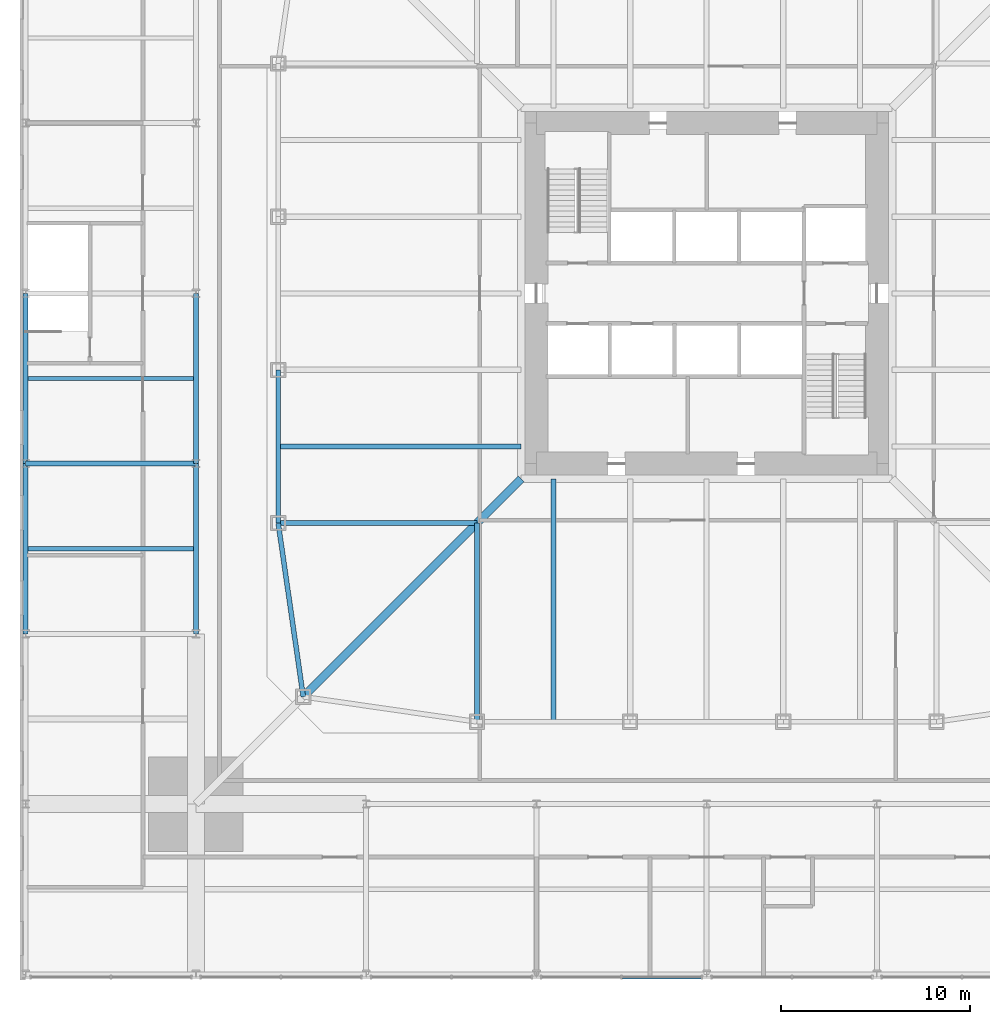
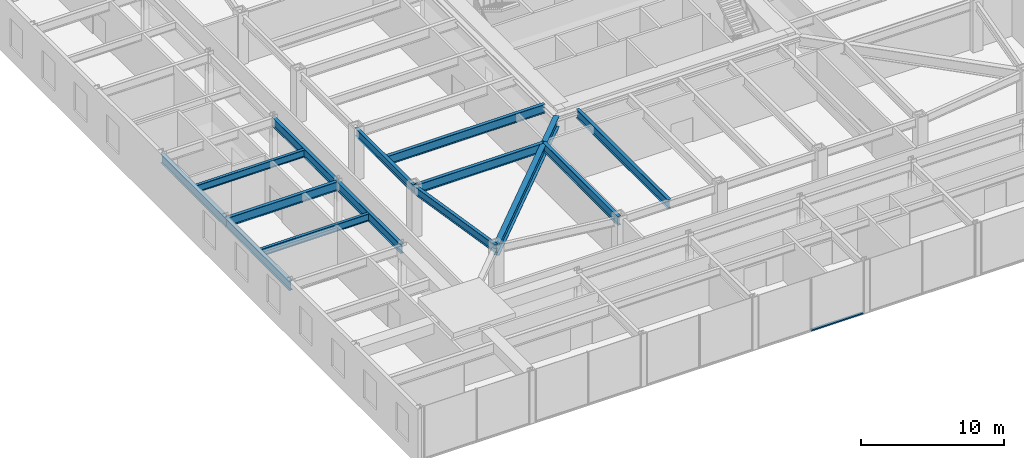
# One storey, part 7 of 30: 14 beams, 1 member, 1 element without a shape of its own.
"""IFC4 building model written with IfcOpenShell, lengths in metres."""

from ifc_helpers import new_model, si_unit, direction, frame, origin, origin_2d, place, context, subcontext, project, spatial, rectangle, i_section, extrude, material, material_profile, profile_set, type_object, element, aggregate, save


model = new_model("IFC4")

# Units and contexts
model_context = context("Model", 3, precision=1e-05, world=origin(), true_north=direction((0.0, 1.0)))
body_context = subcontext(model_context, "Body", "Model", "MODEL_VIEW")
ifc_project = project(units=[si_unit("LENGTHUNIT", "METRE"), si_unit("AREAUNIT", "SQUARE_METRE"), si_unit("VOLUMEUNIT", "CUBIC_METRE"), si_unit("PLANEANGLEUNIT", "RADIAN"), si_unit("MASSUNIT", "GRAM", prefix="KILO")], contexts=[model_context])

# Site, building, storey
site_placement = place(None, origin())
site = spatial("IfcSite", under=ifc_project, at=site_placement, CompositionType="ELEMENT")
building_placement = place(site_placement, origin())
building = spatial("IfcBuilding", under=site, at=building_placement, Name="Iwan Alto Co-Living Towers", CompositionType="ELEMENT")
storey_placement = place(building_placement, frame((0.0, 0.0, 10.5)))
storey = spatial("IfcBuildingStorey", under=building, at=storey_placement, Name="L02", CompositionType="ELEMENT", Elevation=10.5)

# Curtain wall, member
ifc_material_1 = material(Name="Bronze aluminium stick frame", Category="aluminium")
curtain_wall_type = type_object("IfcCurtainWallType", Name="CURTAIN WALL CW-E", PredefinedType="NOTDEFINED", material=ifc_material_1)
curtain_wall_placement = place(storey_placement, origin())
curtain_wall = element("IfcCurtainWall", 1, at=curtain_wall_placement, inside=storey, type_object=curtain_wall_type, Name="Podium curtain wall S L02", PredefinedType="NOTDEFINED")
ifc_material_2 = material(Name="Aluminium 6063-T6 bronze anodised", Category="aluminium")
ifc_material_profile_1 = material_profile(ifc_material_2, rectangle(XDim=0.199951171875, YDim=0.10009765625, at=origin_2d()), Name="AL 200X100")
ifc_profile_set_1 = profile_set([ifc_material_profile_1], Name="Aluminium 6063-T6 bronze anodised")
member_type = type_object("IfcMemberType", Name="CW-E TRANSOM 200X100", PredefinedType="USERDEFINED", material=ifc_profile_set_1)
member_placement = place(storey_placement, frame((-4.4599609375, -36.14990234375, 0.050048828125), z_axis=(1.0, 0.0, 0.0), x_axis=(0.0, 1.0, 0.0)))
member = element("IfcMember", 2, at=member_placement, type_object=member_type, Name="CW-E transom 2.1", ObjectType="TRANSOM", PredefinedType="USERDEFINED", context=body_context, shape_type="SweptSolid", body=[
    extrude(rectangle(XDim=0.199951171875, YDim=0.10009765625, at=origin_2d()), origin(), (0.0, 0.0, 1.0), 4.17431640625),
])
aggregate(curtain_wall, [member])

# Beams
ifc_material_3 = material(Name="Steel ASTM A992 Gr 50", Category="steel")
ifc_material_profile_2 = material_profile(ifc_material_3, i_section(OverallWidth=0.2666015625, OverallDepth=0.76953125, WebThickness=0.015625, FlangeThickness=0.025390625, at=origin_2d()), Name="W30X132")
ifc_profile_set_2 = profile_set([ifc_material_profile_2], Name="Steel ASTM A992 Gr 50")
beam_type_1 = type_object("IfcBeamType", Name="PODIUM BEAM W30X132", PredefinedType="BEAM", material=ifc_profile_set_2)
for number, where, z_axis, x_axis, name in (
    (3, (-36.0, -18.0, 3.865234375), (0.0, 1.0, 0.0), (-1.0, 0.0, 0.0), "Podium beam 1/C-1/D L03"),
    (4, (-36.0, -9.0, 3.865234375), (1.0, 0.0, 0.0), (0.0, 1.0, 0.0), "Podium beam 1/D-2/D L03"),
    (5, (-36.0, -9.0, 3.865234375), (0.0, 1.0, 0.0), (-1.0, 0.0, 0.0), "Podium beam 1/D-1/E L03"),
    (6, (-27.0, -18.0, 3.865234375), (0.0, 1.0, 0.0), (-1.0, 0.0, 0.0), "Podium beam 2/C-2/D L03"),
    (7, (-27.0, -9.0, 3.865234375), (0.0, 1.0, 0.0), (-1.0, 0.0, 0.0), "Podium beam 2/D-2/E L03"),
):
    element("IfcBeam", number, at=place(storey_placement, frame(where, z_axis=z_axis, x_axis=x_axis)), inside=storey, type_object=beam_type_1, Name=name, PredefinedType="BEAM", context=body_context, shape_type="SweptSolid", body=[
        extrude(i_section(OverallWidth=0.2666015625, OverallDepth=0.76953125, WebThickness=0.015625, FlangeThickness=0.025390625, at=origin_2d()), origin(), (0.0, 0.0, 1.0), 9.0),
    ])
ifc_material_4 = material(Name="Steel ASTM A992 Gr 50", Category="steel")
ifc_material_profile_3 = material_profile(ifc_material_4, i_section(OverallWidth=0.23046875, OverallDepth=0.6171875, WebThickness=0.01318359375, FlangeThickness=0.022216796875, at=origin_2d()), Name="W24X94")
ifc_profile_set_3 = profile_set([ifc_material_profile_3], Name="Steel ASTM A992 Gr 50")
beam_type_2 = type_object("IfcBeamType", Name="PODIUM SECONDARY BEAM W24X94", PredefinedType="JOIST", material=ifc_profile_set_3)
for number, where, z_axis, x_axis, name in (
    (8, (-35.86669921875, -13.5, 3.94140625), (1.0, 0.0, 0.0), (0.0, 1.0, 0.0), "Podium secondary beam 1/C L03"),
    (9, (-35.86669921875, -4.5, 3.94140625), (1.0, 0.0, 0.0), (0.0, 1.0, 0.0), "Podium secondary beam 1/D L03"),
):
    element("IfcBeam", number, at=place(storey_placement, frame(where, z_axis=z_axis, x_axis=x_axis)), inside=storey, type_object=beam_type_2, Name=name, PredefinedType="JOIST", context=body_context, shape_type="SweptSolid", body=[
        extrude(i_section(OverallWidth=0.23046875, OverallDepth=0.6171875, WebThickness=0.01318359375, FlangeThickness=0.022216796875, at=origin_2d()), origin(), (0.0, 0.0, 1.0), 8.7333984375),
    ])
ifc_material_5 = material(Name="Steel ASTM A992 Gr 50", Category="steel")
ifc_material_profile_4 = material_profile(ifc_material_5, i_section(OverallWidth=0.419189453125, OverallDepth=0.927001953125, WebThickness=0.019287109375, FlangeThickness=0.031982421875, at=origin_2d()), Name="W36X231")
ifc_profile_set_4 = profile_set([ifc_material_profile_4], Name="Steel ASTM A992 Gr 50")
beam_type_3 = type_object("IfcBeamType", Name="T1 CORNER GIRDER W36X231", PredefinedType="BEAM", material=ifc_profile_set_4)
beam_1_placement = place(storey_placement, frame((-21.32568359375, -21.32568359375, 3.806396484375), z_axis=(0.707106781187, 0.707106781187, 0.0), x_axis=(-0.707106781187, 0.707106781187, 0.0)))
element("IfcBeam", 10, at=beam_1_placement, inside=storey, type_object=beam_type_3, Name="T1 corner girder CSW L03", PredefinedType="BEAM", context=body_context, shape_type="SweptSolid", body=[
    extrude(i_section(OverallWidth=0.419189453125, OverallDepth=0.927001953125, WebThickness=0.019287109375, FlangeThickness=0.031982421875, at=origin_2d()), origin(), (0.0, 0.0, 1.0), 16.296875),
])
ifc_material_6 = material(Name="Steel ASTM A992 Gr 50", Category="steel")
ifc_material_profile_5 = material_profile(ifc_material_6, i_section(OverallWidth=0.25390625, OverallDepth=0.683349609375, WebThickness=0.012451171875, FlangeThickness=0.018798828125, at=origin_2d()), Name="W27X94")
ifc_profile_set_5 = profile_set([ifc_material_profile_5], Name="Steel ASTM A992 Gr 50")
beam_type_4 = type_object("IfcBeamType", Name="T1 EDGE BEAM W27X94", PredefinedType="BEAM", material=ifc_profile_set_5)
beam_2_placement = place(storey_placement, frame((-22.64990234375, -4.050048828125, 3.928466796875), z_axis=(0.0, -1.0, 0.0), x_axis=(1.0, 0.0, 0.0)))
element("IfcBeam", 11, at=beam_2_placement, inside=storey, type_object=beam_type_4, Name="T1 edge beam W3 L03", PredefinedType="BEAM", context=body_context, shape_type="SweptSolid", body=[
    extrude(i_section(OverallWidth=0.25390625, OverallDepth=0.683349609375, WebThickness=0.012451171875, FlangeThickness=0.018798828125, at=origin_2d()), origin(), (0.0, 0.0, 1.0), 8.099853515625),
])
beam_3_placement = place(storey_placement, frame((-22.64990234375, -12.14990234375, 3.928466796875), z_axis=(0.142836940589, -0.989746234347, 0.0), x_axis=(0.989746234347, 0.142836940589, 0.0)))
element("IfcBeam", 12, at=beam_3_placement, inside=storey, type_object=beam_type_4, Name="T1 edge beam W4 L03", PredefinedType="BEAM", context=body_context, shape_type="SweptSolid", body=[
    extrude(i_section(OverallWidth=0.25390625, OverallDepth=0.683349609375, WebThickness=0.012451171875, FlangeThickness=0.018798828125, at=origin_2d()), origin(), (0.0, 0.0, 1.0), 9.270751953125),
])
ifc_material_7 = material(Name="Steel ASTM A992 Gr 50", Category="steel")
ifc_material_profile_6 = material_profile(ifc_material_7, i_section(OverallWidth=0.2666015625, OverallDepth=0.761962890625, WebThickness=0.014404296875, FlangeThickness=0.021484375, at=origin_2d()), Name="W30X116")
ifc_profile_set_6 = profile_set([ifc_material_profile_6], Name="Steel ASTM A992 Gr 50")
beam_type_5 = type_object("IfcBeamType", Name="T1 RADIAL BEAM W30X116", PredefinedType="BEAM", material=ifc_profile_set_6)
for number, where, z_axis, x_axis, name in (
    (13, (-12.14990234375, -22.64990234375, 3.888916015625), (0.0, 1.0, 0.0), (-1.0, 0.0, 0.0), "T1 radial beam S1 L03"),
    (14, (-22.64990234375, -12.14990234375, 3.888916015625), (1.0, 0.0, 0.0), (0.0, 1.0, 0.0), "T1 radial beam W4 L03"),
):
    element("IfcBeam", number, at=place(storey_placement, frame(where, z_axis=z_axis, x_axis=x_axis)), inside=storey, type_object=beam_type_5, Name=name, PredefinedType="BEAM", context=body_context, shape_type="SweptSolid", body=[
        extrude(i_section(OverallWidth=0.2666015625, OverallDepth=0.761962890625, WebThickness=0.014404296875, FlangeThickness=0.021484375, at=origin_2d()), origin(), (0.0, 0.0, 1.0), 10.5),
    ])
ifc_material_8 = material(Name="Steel ASTM A992 Gr 50", Category="steel")
ifc_material_profile_7 = material_profile(ifc_material_8, i_section(OverallWidth=0.2666015625, OverallDepth=0.761962890625, WebThickness=0.014404296875, FlangeThickness=0.021484375, at=origin_2d()), Name="W30X116")
ifc_profile_set_7 = profile_set([ifc_material_profile_7], Name="Steel ASTM A992 Gr 50")
beam_type_6 = type_object("IfcBeamType", Name="T1 SECONDARY BEAM W30X116", PredefinedType="JOIST", material=ifc_profile_set_7)
for number, where, z_axis, x_axis, name in (
    (15, (-8.10009765625, -22.64990234375, 3.888916015625), (0.0, 1.0, 0.0), (-1.0, 0.0, 0.0), "T1 secondary beam S1 L03"),
    (16, (-22.64990234375, -8.10009765625, 3.888916015625), (1.0, 0.0, 0.0), (0.0, 1.0, 0.0), "T1 secondary beam W3 L03"),
):
    element("IfcBeam", number, at=place(storey_placement, frame(where, z_axis=z_axis, x_axis=x_axis)), inside=storey, type_object=beam_type_6, Name=name, PredefinedType="JOIST", context=body_context, shape_type="SweptSolid", body=[
        extrude(i_section(OverallWidth=0.2666015625, OverallDepth=0.761962890625, WebThickness=0.014404296875, FlangeThickness=0.021484375, at=origin_2d()), origin(), (0.0, 0.0, 1.0), 12.847900390625),
    ])

save(model, "model.ifc")
